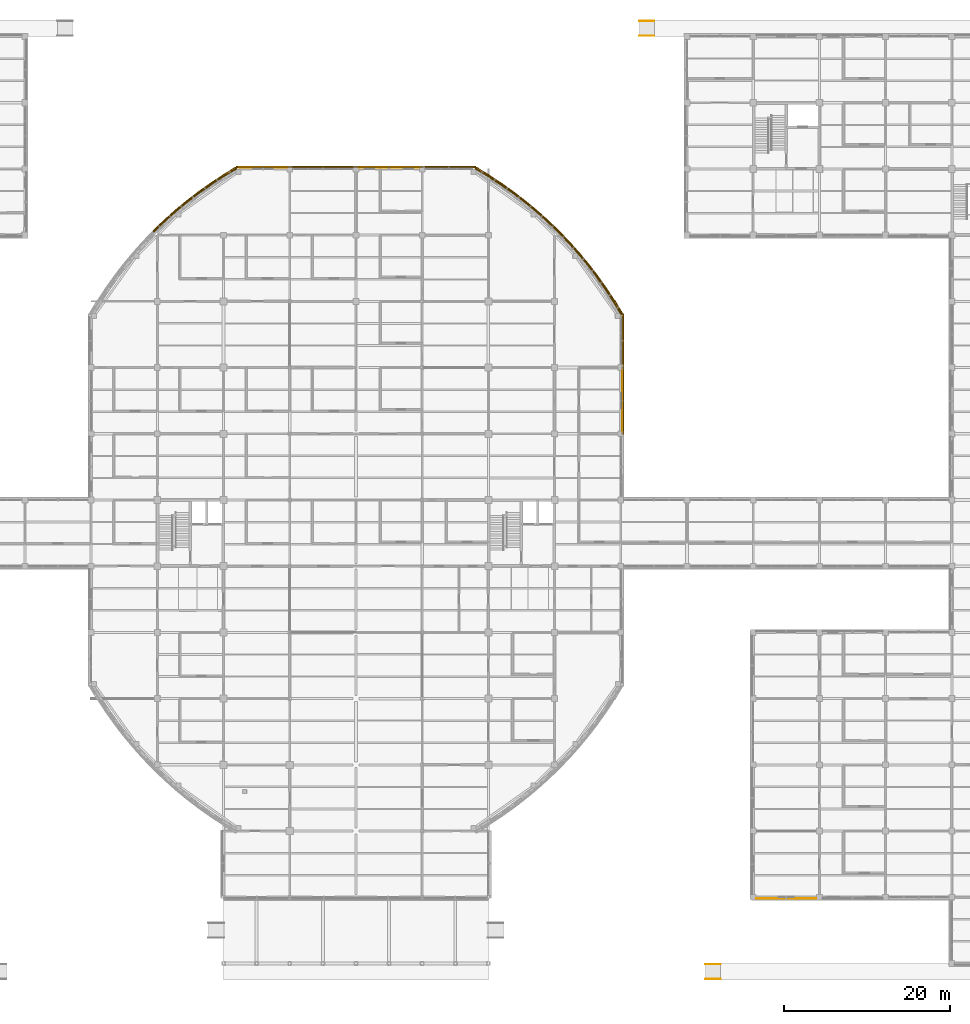
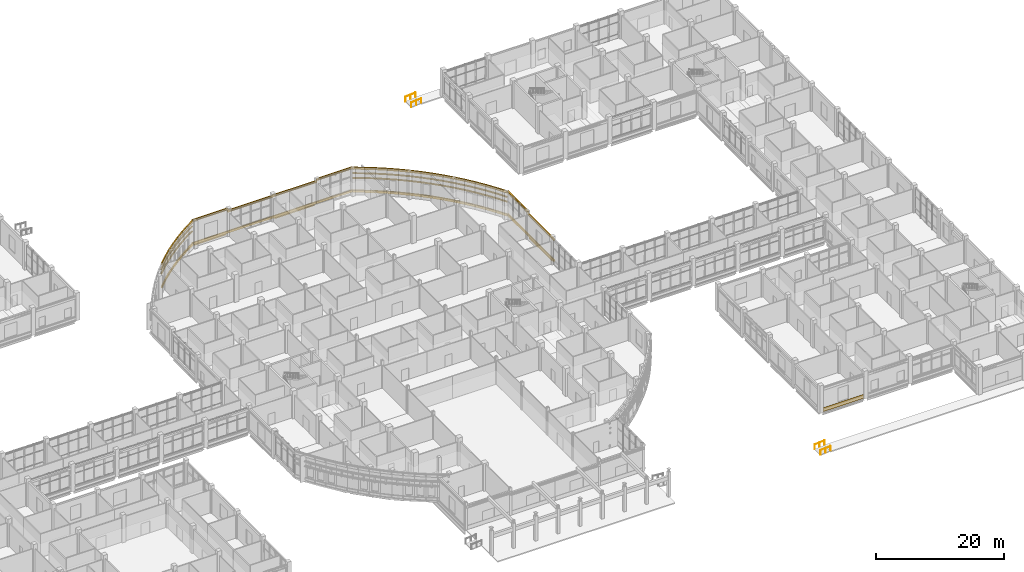
# One storey, part 101 of 105: 58 coverings, 48 shading devices, 4 railings.
"""IFC4 building model written with IfcOpenShell, lengths in metres."""

from ifc_helpers import new_model, si_unit, derived_unit, direction, frame, origin, origin_2d, place, context, subcontext, project, spatial, rectangle, circle, extrude, material, layer, layer_set, material_profile, profile_set, type_object, element, save


model = new_model("IFC4")

# Units and contexts
model_context = context("Model", 3, precision=1e-05, world=origin(), true_north=direction((0.0, 1.0)))
body_context = subcontext(model_context, "Body", "Model", "MODEL_VIEW")
ifc_project = project(units=[si_unit("LENGTHUNIT", "METRE"), si_unit("AREAUNIT", "SQUARE_METRE"), si_unit("VOLUMEUNIT", "CUBIC_METRE"), si_unit("PLANEANGLEUNIT", "RADIAN"), si_unit("MASSUNIT", "GRAM", prefix="KILO"), derived_unit("THERMALTRANSMITTANCEUNIT", [(si_unit("MASSUNIT", "GRAM", prefix="KILO"), 1), (si_unit("TIMEUNIT", "SECOND"), -3), (si_unit("THERMODYNAMICTEMPERATUREUNIT", "KELVIN"), -1)])], contexts=[model_context])

# Site, building, storey
site_placement = place(None, origin())
site = spatial("IfcSite", under=ifc_project, at=site_placement, CompositionType="ELEMENT")
building_placement = place(site_placement, origin())
building = spatial("IfcBuilding", under=site, at=building_placement, Name="Veyamyaing Civic Hall", CompositionType="ELEMENT")
storey_placement = place(building_placement, origin())
storey = spatial("IfcBuildingStorey", under=building, at=storey_placement, Name="L00", CompositionType="ELEMENT", Elevation=0.0)

# Coverings
ifc_material_1 = material(Name="Buff sandstone ashlar cladding", Category="masonry")
ifc_layer_1 = layer(ifc_material_1, 0.050048828125, Name="Buff sandstone ashlar cladding")
ifc_layer_set_1 = layer_set([ifc_layer_1], Name="Buff sandstone ashlar cladding")
covering_type_1 = type_object("IfcCoveringType", Name="CL-01", PredefinedType="CLADDING", material=ifc_layer_set_1)
covering_placement = place(storey_placement, frame((76.759521484375, 96.173583984375, 0.044921875), z_axis=(0.0, 0.0, 1.0), x_axis=(1.0, 0.0, 0.0)))
element("IfcCovering", 1, at=covering_placement, inside=storey, type_object=covering_type_1, Name="Facade spandrel cladding CL-01 L00 N 10.12", PredefinedType="CLADDING", context=body_context, shape_type="SweptSolid", body=[
    extrude(rectangle(XDim=5.730712890625, YDim=0.050048828125, at=origin_2d()), origin(), (0.0, 0.0, 1.0), 0.75),
])
for number, where, z_axis, x_axis, name in (
    (2, (92.0, 96.173583984375, 0.044921875), (0.0, 0.0, 1.0), (1.0, 0.0, 0.0), "Facade spandrel cladding CL-01 L00 N 12.12"),
    (3, (120.173583984375, 68.0, 0.044921875), (0.0, 0.0, 1.0), (0.0, 1.0, 0.0), "Facade spandrel cladding CL-01 L00 E 15.9"),
    (4, (140.0, 7.843994140625, 0.044921875), (0.0, 0.0, 1.0), (1.0, 0.0, 0.0), "Facade spandrel cladding CL-01 L00 S 18.2"),
):
    element("IfcCovering", number, at=place(storey_placement, frame(where, z_axis=z_axis, x_axis=x_axis)), inside=storey, type_object=covering_type_1, Name=name, PredefinedType="CLADDING", context=body_context, shape_type="SweptSolid", body=[
        extrude(rectangle(XDim=7.25, YDim=0.050048828125, at=origin_2d()), origin(), (0.0, 0.0, 1.0), 0.75),
    ])
ifc_material_2 = material(Name="White powder-coated aluminium 6063-T6", Category="aluminium")
ifc_layer_2 = layer(ifc_material_2, 0.2099609375, Name="White powder-coated aluminium 6063-T6")
ifc_layer_set_2 = layer_set([ifc_layer_2], Name="White powder-coated aluminium 6063-T6")
covering_type_2 = type_object("IfcCoveringType", Name="CL-03", PredefinedType="CLADDING", material=ifc_layer_set_2)
for number, where, z_axis, x_axis, name in (
    (5, (119.605224609375, 79.24072265625, 0.27001953125), (0.0, 0.0, 1.0), (-0.516106513571, 0.856524411006, 0.0), "Continuous white corner ribbon CL-03 L00 NE.1.1"),
    (6, (119.605224609375, 79.24072265625, 4.64501953125), (0.0, 0.0, 1.0), (-0.516106513571, 0.856524411006, 0.0), "Continuous white corner ribbon CL-03 L00 NE.1.2"),
    (7, (118.648681640625, 80.76318359375, 0.27001953125), (0.0, 0.0, 1.0), (-0.547771714075, 0.836627843942, 0.0), "Continuous white corner ribbon CL-03 L00 NE.2.1"),
    (8, (118.648681640625, 80.76318359375, 4.64501953125), (0.0, 0.0, 1.0), (-0.547771714075, 0.836627843942, 0.0), "Continuous white corner ribbon CL-03 L00 NE.2.2"),
    (9, (117.635986328125, 82.248291015625, 0.27001953125), (0.0, 0.0, 1.0), (-0.578671161892, 0.815560964241, 0.0), "Continuous white corner ribbon CL-03 L00 NE.3.1"),
    (10, (117.635986328125, 82.248291015625, 4.64501953125), (0.0, 0.0, 1.0), (-0.578671161892, 0.815560964241, 0.0), "Continuous white corner ribbon CL-03 L00 NE.3.2"),
    (11, (116.568603515625, 83.69482421875, 0.27001953125), (0.0, 0.0, 1.0), (-0.608761490723, 0.793353292936, 0.0), "Continuous white corner ribbon CL-03 L00 NE.4.1"),
    (12, (116.568603515625, 83.69482421875, 4.64501953125), (0.0, 0.0, 1.0), (-0.608761490723, 0.793353292936, 0.0), "Continuous white corner ribbon CL-03 L00 NE.4.2"),
    (13, (115.44775390625, 85.1005859375, 0.27001953125), (0.0, 0.0, 1.0), (-0.638000405445, 0.770036026853, 0.0), "Continuous white corner ribbon CL-03 L00 NE.5.1"),
    (14, (115.44775390625, 85.1005859375, 4.64501953125), (0.0, 0.0, 1.0), (-0.638000405445, 0.770036026853, 0.0), "Continuous white corner ribbon CL-03 L00 NE.5.2"),
    (15, (114.27490234375, 86.463134765625, 0.27001953125), (0.0, 0.0, 1.0), (-0.666346529453, 0.745642208225, 0.0), "Continuous white corner ribbon CL-03 L00 NE.6.1"),
    (16, (114.27490234375, 86.463134765625, 4.64501953125), (0.0, 0.0, 1.0), (-0.666346529453, 0.745642208225, 0.0), "Continuous white corner ribbon CL-03 L00 NE.6.2"),
    (17, (113.05224609375, 87.781005859375, 0.27001953125), (0.0, 0.0, 1.0), (-0.693760978012, 0.720205321688, 0.0), "Continuous white corner ribbon CL-03 L00 NE.7.1"),
    (18, (113.05224609375, 87.781005859375, 4.64501953125), (0.0, 0.0, 1.0), (-0.693760978012, 0.720205321688, 0.0), "Continuous white corner ribbon CL-03 L00 NE.7.2"),
    (19, (111.781005859375, 89.05224609375, 0.27001953125), (0.0, 0.0, 1.0), (-0.720205321688, 0.693760978012, 0.0), "Continuous white corner ribbon CL-03 L00 NE.8.1"),
    (20, (111.781005859375, 89.05224609375, 4.64501953125), (0.0, 0.0, 1.0), (-0.720205321688, 0.693760978012, 0.0), "Continuous white corner ribbon CL-03 L00 NE.8.2"),
    (21, (110.463134765625, 90.27490234375, 0.27001953125), (0.0, 0.0, 1.0), (-0.745642208225, 0.666346529453, 0.0), "Continuous white corner ribbon CL-03 L00 NE.9.1"),
    (22, (110.463134765625, 90.27490234375, 4.64501953125), (0.0, 0.0, 1.0), (-0.745642208225, 0.666346529453, 0.0), "Continuous white corner ribbon CL-03 L00 NE.9.2"),
    (23, (109.1005859375, 91.44775390625, 0.27001953125), (0.0, 0.0, 1.0), (-0.770036026853, 0.638000405445, 0.0), "Continuous white corner ribbon CL-03 L00 NE.10.1"),
    (24, (109.1005859375, 91.44775390625, 4.64501953125), (0.0, 0.0, 1.0), (-0.770036026853, 0.638000405445, 0.0), "Continuous white corner ribbon CL-03 L00 NE.10.2"),
    (25, (107.69482421875, 92.568603515625, 0.27001953125), (0.0, 0.0, 1.0), (-0.793353292936, 0.608761490723, 0.0), "Continuous white corner ribbon CL-03 L00 NE.11.1"),
    (26, (107.69482421875, 92.568603515625, 4.64501953125), (0.0, 0.0, 1.0), (-0.793353292936, 0.608761490723, 0.0), "Continuous white corner ribbon CL-03 L00 NE.11.2"),
    (27, (106.248291015625, 93.635986328125, 0.27001953125), (0.0, 0.0, 1.0), (-0.815560964241, 0.578671161892, 0.0), "Continuous white corner ribbon CL-03 L00 NE.12.1"),
    (28, (106.248291015625, 93.635986328125, 4.64501953125), (0.0, 0.0, 1.0), (-0.815560964241, 0.578671161892, 0.0), "Continuous white corner ribbon CL-03 L00 NE.12.2"),
    (29, (104.76318359375, 94.648681640625, 0.27001953125), (0.0, 0.0, 1.0), (-0.836627843942, 0.547771714075, 0.0), "Continuous white corner ribbon CL-03 L00 NE.13.1"),
    (30, (104.76318359375, 94.648681640625, 4.64501953125), (0.0, 0.0, 1.0), (-0.836627843942, 0.547771714075, 0.0), "Continuous white corner ribbon CL-03 L00 NE.13.2"),
    (31, (103.24072265625, 95.605224609375, 0.27001953125), (0.0, 0.0, 1.0), (-0.856524411006, 0.516106513571, 0.0), "Continuous white corner ribbon CL-03 L00 NE.14.1"),
    (32, (103.24072265625, 95.605224609375, 4.64501953125), (0.0, 0.0, 1.0), (-0.856524411006, 0.516106513571, 0.0), "Continuous white corner ribbon CL-03 L00 NE.14.2"),
    (33, (72.75927734375, 95.605224609375, 0.27001953125), (0.0, 0.0, 1.0), (-0.856524411006, -0.516106513571, 0.0), "Continuous white corner ribbon CL-03 L00 NW.1.1"),
    (34, (72.75927734375, 95.605224609375, 4.64501953125), (0.0, 0.0, 1.0), (-0.856524411006, -0.516106513571, 0.0), "Continuous white corner ribbon CL-03 L00 NW.1.2"),
    (35, (71.23681640625, 94.648681640625, 0.27001953125), (0.0, 0.0, 1.0), (-0.836627843942, -0.547771714075, 0.0), "Continuous white corner ribbon CL-03 L00 NW.2.1"),
    (36, (71.23681640625, 94.648681640625, 4.64501953125), (0.0, 0.0, 1.0), (-0.836627843942, -0.547771714075, 0.0), "Continuous white corner ribbon CL-03 L00 NW.2.2"),
    (37, (69.751708984375, 93.635986328125, 0.27001953125), (0.0, 0.0, 1.0), (-0.815560964241, -0.578671161892, 0.0), "Continuous white corner ribbon CL-03 L00 NW.3.1"),
    (38, (69.751708984375, 93.635986328125, 4.64501953125), (0.0, 0.0, 1.0), (-0.815560964241, -0.578671161892, 0.0), "Continuous white corner ribbon CL-03 L00 NW.3.2"),
    (39, (68.30517578125, 92.568603515625, 0.27001953125), (0.0, 0.0, 1.0), (-0.793353292936, -0.608761490723, 0.0), "Continuous white corner ribbon CL-03 L00 NW.4.1"),
    (40, (68.30517578125, 92.568603515625, 4.64501953125), (0.0, 0.0, 1.0), (-0.793353292936, -0.608761490723, 0.0), "Continuous white corner ribbon CL-03 L00 NW.4.2"),
    (41, (66.8994140625, 91.44775390625, 0.27001953125), (0.0, 0.0, 1.0), (-0.770036026853, -0.638000405445, 0.0), "Continuous white corner ribbon CL-03 L00 NW.5.1"),
    (42, (66.8994140625, 91.44775390625, 4.64501953125), (0.0, 0.0, 1.0), (-0.770036026853, -0.638000405445, 0.0), "Continuous white corner ribbon CL-03 L00 NW.5.2"),
    (43, (65.536865234375, 90.27490234375, 0.27001953125), (0.0, 0.0, 1.0), (-0.745642208225, -0.666346529453, 0.0), "Continuous white corner ribbon CL-03 L00 NW.6.1"),
    (44, (65.536865234375, 90.27490234375, 4.64501953125), (0.0, 0.0, 1.0), (-0.745642208225, -0.666346529453, 0.0), "Continuous white corner ribbon CL-03 L00 NW.6.2"),
    (45, (64.218994140625, 89.05224609375, 0.27001953125), (0.0, 0.0, 1.0), (-0.720205321688, -0.693760978012, 0.0), "Continuous white corner ribbon CL-03 L00 NW.7.1"),
    (46, (64.218994140625, 89.05224609375, 4.64501953125), (0.0, 0.0, 1.0), (-0.720205321688, -0.693760978012, 0.0), "Continuous white corner ribbon CL-03 L00 NW.7.2"),
):
    element("IfcCovering", number, at=place(storey_placement, frame(where, z_axis=z_axis, x_axis=x_axis)), inside=storey, type_object=covering_type_2, Name=name, PredefinedType="CLADDING", context=body_context, shape_type="SweptSolid", body=[
        extrude(rectangle(XDim=1.93505859375, YDim=0.2099609375, at=origin_2d()), origin(), (0.0, 0.0, 1.0), 0.419921875),
    ])
for number, where, z_axis, x_axis, name in (
    (47, (76.78466796875, 96.239990234375, 4.655029296875), (0.0, 0.0, 1.0), (1.0, 0.0, 0.0), "Continuous white head fascia ribbon CL-03 L00 N 10.12"),
    (48, (76.78466796875, 96.239990234375, 0.280029296875), (0.0, 0.0, 1.0), (1.0, 0.0, 0.0), "Continuous white sill fascia ribbon CL-03 L00 N 10.12"),
):
    element("IfcCovering", number, at=place(storey_placement, frame(where, z_axis=z_axis, x_axis=x_axis)), inside=storey, type_object=covering_type_2, Name=name, PredefinedType="CLADDING", context=body_context, shape_type="SweptSolid", body=[
        extrude(rectangle(XDim=6.55078125, YDim=0.2099609375, at=origin_2d()), origin(), (0.0, 0.0, 1.0), 0.39990234375),
    ])
for number, where, z_axis, x_axis, name in (
    (49, (84.0, 96.239990234375, 4.234130859375), (0.0, 0.0, 1.0), (1.0, 0.0, 0.0), "Continuous white head fascia ribbon CL-03 L00 N 11.12"),
    (50, (84.0, 96.239990234375, 0.280029296875), (0.0, 0.0, 1.0), (1.0, 0.0, 0.0), "Continuous white sill fascia ribbon CL-03 L00 N 11.12"),
    (51, (92.0, 96.239990234375, 4.297119140625), (0.0, 0.0, 1.0), (1.0, 0.0, 0.0), "Continuous white head fascia ribbon CL-03 L00 N 12.12"),
    (52, (92.0, 96.239990234375, 0.280029296875), (0.0, 0.0, 1.0), (1.0, 0.0, 0.0), "Continuous white sill fascia ribbon CL-03 L00 N 12.12"),
):
    element("IfcCovering", number, at=place(storey_placement, frame(where, z_axis=z_axis, x_axis=x_axis)), inside=storey, type_object=covering_type_2, Name=name, PredefinedType="CLADDING", context=body_context, shape_type="SweptSolid", body=[
        extrude(rectangle(XDim=8.1201171875, YDim=0.2099609375, at=origin_2d()), origin(), (0.0, 0.0, 1.0), 0.39990234375),
    ])
for number, where, z_axis, x_axis, name in (
    (53, (99.21533203125, 96.239990234375, 4.655029296875), (0.0, 0.0, 1.0), (1.0, 0.0, 0.0), "Continuous white head fascia ribbon CL-03 L00 N 13.12"),
    (54, (99.21533203125, 96.239990234375, 0.280029296875), (0.0, 0.0, 1.0), (1.0, 0.0, 0.0), "Continuous white sill fascia ribbon CL-03 L00 N 13.12"),
):
    element("IfcCovering", number, at=place(storey_placement, frame(where, z_axis=z_axis, x_axis=x_axis)), inside=storey, type_object=covering_type_2, Name=name, PredefinedType="CLADDING", context=body_context, shape_type="SweptSolid", body=[
        extrude(rectangle(XDim=6.55078125, YDim=0.2099609375, at=origin_2d()), origin(), (0.0, 0.0, 1.0), 0.39990234375),
    ])
for number, where, z_axis, x_axis, name in (
    (55, (120.239990234375, 68.0, 4.297119140625), (0.0, 0.0, 1.0), (0.0, 1.0, 0.0), "Continuous white head fascia ribbon CL-03 L00 E 15.9"),
    (56, (120.239990234375, 68.0, 0.280029296875), (0.0, 0.0, 1.0), (0.0, 1.0, 0.0), "Continuous white sill fascia ribbon CL-03 L00 E 15.9"),
):
    element("IfcCovering", number, at=place(storey_placement, frame(where, z_axis=z_axis, x_axis=x_axis)), inside=storey, type_object=covering_type_2, Name=name, PredefinedType="CLADDING", context=body_context, shape_type="SweptSolid", body=[
        extrude(rectangle(XDim=8.1201171875, YDim=0.2099609375, at=origin_2d()), origin(), (0.0, 0.0, 1.0), 0.39990234375),
    ])
for number, where, z_axis, x_axis, name in (
    (57, (120.239990234375, 75.21533203125, 4.655029296875), (0.0, 0.0, 1.0), (0.0, 1.0, 0.0), "Continuous white head fascia ribbon CL-03 L00 E 15.10"),
    (58, (120.239990234375, 75.21533203125, 0.280029296875), (0.0, 0.0, 1.0), (0.0, 1.0, 0.0), "Continuous white sill fascia ribbon CL-03 L00 E 15.10"),
):
    element("IfcCovering", number, at=place(storey_placement, frame(where, z_axis=z_axis, x_axis=x_axis)), inside=storey, type_object=covering_type_2, Name=name, PredefinedType="CLADDING", context=body_context, shape_type="SweptSolid", body=[
        extrude(rectangle(XDim=6.55078125, YDim=0.2099609375, at=origin_2d()), origin(), (0.0, 0.0, 1.0), 0.39990234375),
    ])

# Railings
ifc_material_3 = material(Name="Steel S355J2", Category="steel")
railing_type = type_object("IfcRailingType", Name="RL-02", PredefinedType="HANDRAIL", material=ifc_material_3)
for number, where, name in (
    (59, (130.25, -0.10009765625, -0.14990234375), "Accessible ramp handrail RMP-SE.1"),
    (60, (130.25, -1.89990234375, -0.14990234375), "Accessible ramp handrail RMP-SE.2"),
    (61, (122.25, 113.89990234375, -0.14990234375), "Accessible ramp handrail RMP-NE.1"),
    (62, (122.25, 112.10009765625, -0.14990234375), "Accessible ramp handrail RMP-NE.2"),
):
    element("IfcRailing", number, at=place(storey_placement, frame(where)), inside=storey, type_object=railing_type, Name=name, PredefinedType="HANDRAIL", context=body_context, shape_type="SweptSolid", body=[
        extrude(circle(Radius=0.02392578125, at=origin_2d()), frame((0.0, 0.0, 0.89599609375), z_axis=(0.996550417439, 0.0, 0.082989550564), x_axis=(0.0, 1.0, 0.0)), (0.0, 0.0, 1.0), 1.806396484375),
        extrude(circle(Radius=0.02099609375, at=origin_2d()), origin(), (0.0, 0.0, 1.0), 0.871826171875),
        extrude(circle(Radius=0.02099609375, at=origin_2d()), frame((0.89990234375, 0.0, 0.074951171875)), (0.0, 0.0, 1.0), 0.871826171875),
        extrude(circle(Radius=0.02099609375, at=origin_2d()), frame((1.800048828125, 0.0, 0.14990234375)), (0.0, 0.0, 1.0), 0.871826171875),
    ])

# Shading devices
ifc_material_profile = material_profile(ifc_material_2, circle(Radius=0.110107421875, at=origin_2d()), Name="SHADE-TUBE-220")
ifc_profile_set = profile_set([ifc_material_profile], Name="White powder-coated aluminium 6063-T6")
shading_device_type = type_object("IfcShadingDeviceType", Name="SH-01", PredefinedType="USERDEFINED", material=ifc_profile_set)
for number, where, z_axis, x_axis, name in (
    (63, (120.136962890625, 78.513427734375, 2.949951171875), (-0.51607516088, 0.856543302071, 0.0), (-0.856543302071, -0.51607516088, 0.0), "White corner sunshade ribbon SH-01 L00 NE.1.1"),
    (64, (120.136962890625, 78.513427734375, 3.85009765625), (-0.51607516088, 0.856543302071, 0.0), (-0.856543302071, -0.51607516088, 0.0), "White corner sunshade ribbon SH-01 L00 NE.1.2"),
):
    element("IfcShadingDevice", number, at=place(storey_placement, frame(where, z_axis=z_axis, x_axis=x_axis)), inside=storey, type_object=shading_device_type, Name=name, ObjectType="SUNSHADE", PredefinedType="USERDEFINED", context=body_context, shape_type="SweptSolid", body=[
        extrude(circle(Radius=0.110107421875, at=origin_2d()), origin(), (0.0, 0.0, 1.0), 1.794921875),
    ])
for number, where, z_axis, x_axis, name in (
    (65, (119.20751953125, 80.055908203125, 2.949951171875), (-0.547776876079, 0.836624464161, 0.0), (-0.836624464161, -0.547776876079, 0.0), "White corner sunshade ribbon SH-01 L00 NE.2.1"),
    (66, (119.20751953125, 80.055908203125, 3.85009765625), (-0.547776876079, 0.836624464161, 0.0), (-0.836624464161, -0.547776876079, 0.0), "White corner sunshade ribbon SH-01 L00 NE.2.2"),
):
    element("IfcShadingDevice", number, at=place(storey_placement, frame(where, z_axis=z_axis, x_axis=x_axis)), inside=storey, type_object=shading_device_type, Name=name, ObjectType="SUNSHADE", PredefinedType="USERDEFINED", context=body_context, shape_type="SweptSolid", body=[
        extrude(circle(Radius=0.110107421875, at=origin_2d()), origin(), (0.0, 0.0, 1.0), 1.795166015625),
    ])
for number, where, z_axis, x_axis, name in (
    (67, (118.220703125, 81.562744140625, 2.949951171875), (-0.578726580586, 0.815521639764, 0.0), (-0.815521639764, -0.578726580586, 0.0), "White corner sunshade ribbon SH-01 L00 NE.3.1"),
    (68, (118.220703125, 81.562744140625, 3.85009765625), (-0.578726580586, 0.815521639764, 0.0), (-0.815521639764, -0.578726580586, 0.0), "White corner sunshade ribbon SH-01 L00 NE.3.2"),
):
    element("IfcShadingDevice", number, at=place(storey_placement, frame(where, z_axis=z_axis, x_axis=x_axis)), inside=storey, type_object=shading_device_type, Name=name, ObjectType="SUNSHADE", PredefinedType="USERDEFINED", context=body_context, shape_type="SweptSolid", body=[
        extrude(circle(Radius=0.110107421875, at=origin_2d()), origin(), (0.0, 0.0, 1.0), 1.794921875),
    ])
for number, where, z_axis, x_axis, name in (
    (69, (117.178466796875, 83.031494140625, 2.949951171875), (-0.608711298549, 0.79339180423, 0.0), (-0.79339180423, -0.608711298549, 0.0), "White corner sunshade ribbon SH-01 L00 NE.4.1"),
    (70, (117.178466796875, 83.031494140625, 3.85009765625), (-0.608711298549, 0.79339180423, 0.0), (-0.79339180423, -0.608711298549, 0.0), "White corner sunshade ribbon SH-01 L00 NE.4.2"),
    (71, (116.081787109375, 84.46044921875, 2.949951171875), (-0.637987912111, 0.770046377824, 0.0), (-0.770046377824, -0.637987912111, 0.0), "White corner sunshade ribbon SH-01 L00 NE.5.1"),
    (72, (116.081787109375, 84.46044921875, 3.85009765625), (-0.637987912111, 0.770046377824, 0.0), (-0.770046377824, -0.637987912111, 0.0), "White corner sunshade ribbon SH-01 L00 NE.5.2"),
    (73, (114.9326171875, 85.84716796875, 2.949951171875), (-0.666277888361, 0.745703543965, 0.0), (-0.745703543965, -0.666277888361, 0.0), "White corner sunshade ribbon SH-01 L00 NE.6.1"),
    (74, (114.9326171875, 85.84716796875, 3.85009765625), (-0.666277888361, 0.745703543965, 0.0), (-0.745703543965, -0.666277888361, 0.0), "White corner sunshade ribbon SH-01 L00 NE.6.2"),
):
    element("IfcShadingDevice", number, at=place(storey_placement, frame(where, z_axis=z_axis, x_axis=x_axis)), inside=storey, type_object=shading_device_type, Name=name, ObjectType="SUNSHADE", PredefinedType="USERDEFINED", context=body_context, shape_type="SweptSolid", body=[
        extrude(circle(Radius=0.110107421875, at=origin_2d()), origin(), (0.0, 0.0, 1.0), 1.795166015625),
    ])
for number, where, z_axis, x_axis, name in (
    (75, (113.732421875, 87.190185546875, 2.949951171875), (-0.693790654785, 0.720176733402, 0.0), (-0.720176733402, -0.693790654785, 0.0), "White corner sunshade ribbon SH-01 L00 NE.7.1"),
    (76, (113.732421875, 87.190185546875, 3.85009765625), (-0.693790654785, 0.720176733402, 0.0), (-0.720176733402, -0.693790654785, 0.0), "White corner sunshade ribbon SH-01 L00 NE.7.2"),
    (77, (112.48291015625, 88.487060546875, 2.949951171875), (-0.720176733402, 0.693790654785, 0.0), (-0.693790654785, -0.720176733402, 0.0), "White corner sunshade ribbon SH-01 L00 NE.8.1"),
    (78, (112.48291015625, 88.487060546875, 3.85009765625), (-0.720176733402, 0.693790654785, 0.0), (-0.693790654785, -0.720176733402, 0.0), "White corner sunshade ribbon SH-01 L00 NE.8.2"),
):
    element("IfcShadingDevice", number, at=place(storey_placement, frame(where, z_axis=z_axis, x_axis=x_axis)), inside=storey, type_object=shading_device_type, Name=name, ObjectType="SUNSHADE", PredefinedType="USERDEFINED", context=body_context, shape_type="SweptSolid", body=[
        extrude(circle(Radius=0.110107421875, at=origin_2d()), origin(), (0.0, 0.0, 1.0), 1.794921875),
    ])
for number, where, z_axis, x_axis, name in (
    (79, (111.185791015625, 89.736572265625, 2.949951171875), (-0.745703543965, 0.666277888361, 0.0), (-0.666277888361, -0.745703543965, 0.0), "White corner sunshade ribbon SH-01 L00 NE.9.1"),
    (80, (111.185791015625, 89.736572265625, 3.85009765625), (-0.745703543965, 0.666277888361, 0.0), (-0.666277888361, -0.745703543965, 0.0), "White corner sunshade ribbon SH-01 L00 NE.9.2"),
    (81, (109.8427734375, 90.9365234375, 2.949951171875), (-0.770046377824, 0.637987912111, 0.0), (-0.637987912111, -0.770046377824, 0.0), "White corner sunshade ribbon SH-01 L00 NE.10.1"),
    (82, (109.8427734375, 90.9365234375, 3.85009765625), (-0.770046377824, 0.637987912111, 0.0), (-0.637987912111, -0.770046377824, 0.0), "White corner sunshade ribbon SH-01 L00 NE.10.2"),
    (83, (108.455810546875, 92.085693359375, 2.949951171875), (-0.79339180423, 0.608711298549, 0.0), (-0.608711298549, -0.79339180423, 0.0), "White corner sunshade ribbon SH-01 L00 NE.11.1"),
    (84, (108.455810546875, 92.085693359375, 3.85009765625), (-0.79339180423, 0.608711298549, 0.0), (-0.608711298549, -0.79339180423, 0.0), "White corner sunshade ribbon SH-01 L00 NE.11.2"),
):
    element("IfcShadingDevice", number, at=place(storey_placement, frame(where, z_axis=z_axis, x_axis=x_axis)), inside=storey, type_object=shading_device_type, Name=name, ObjectType="SUNSHADE", PredefinedType="USERDEFINED", context=body_context, shape_type="SweptSolid", body=[
        extrude(circle(Radius=0.110107421875, at=origin_2d()), origin(), (0.0, 0.0, 1.0), 1.795166015625),
    ])
for number, where, z_axis, x_axis, name in (
    (85, (107.026611328125, 93.181884765625, 2.949951171875), (-0.815521639764, 0.578726580586, 0.0), (-0.578726580586, -0.815521639764, 0.0), "White corner sunshade ribbon SH-01 L00 NE.12.1"),
    (86, (107.026611328125, 93.181884765625, 3.85009765625), (-0.815521639764, 0.578726580586, 0.0), (-0.578726580586, -0.815521639764, 0.0), "White corner sunshade ribbon SH-01 L00 NE.12.2"),
):
    element("IfcShadingDevice", number, at=place(storey_placement, frame(where, z_axis=z_axis, x_axis=x_axis)), inside=storey, type_object=shading_device_type, Name=name, ObjectType="SUNSHADE", PredefinedType="USERDEFINED", context=body_context, shape_type="SweptSolid", body=[
        extrude(circle(Radius=0.110107421875, at=origin_2d()), origin(), (0.0, 0.0, 1.0), 1.794921875),
    ])
for number, where, z_axis, x_axis, name in (
    (87, (105.557861328125, 94.22412109375, 2.949951171875), (-0.836624464161, 0.547776876079, 0.0), (-0.547776876079, -0.836624464161, 0.0), "White corner sunshade ribbon SH-01 L00 NE.13.1"),
    (88, (105.557861328125, 94.22412109375, 3.85009765625), (-0.836624464161, 0.547776876079, 0.0), (-0.547776876079, -0.836624464161, 0.0), "White corner sunshade ribbon SH-01 L00 NE.13.2"),
):
    element("IfcShadingDevice", number, at=place(storey_placement, frame(where, z_axis=z_axis, x_axis=x_axis)), inside=storey, type_object=shading_device_type, Name=name, ObjectType="SUNSHADE", PredefinedType="USERDEFINED", context=body_context, shape_type="SweptSolid", body=[
        extrude(circle(Radius=0.110107421875, at=origin_2d()), origin(), (0.0, 0.0, 1.0), 1.795166015625),
    ])
for number, where, z_axis, x_axis, name in (
    (89, (104.05078125, 95.210693359375, 2.949951171875), (-0.856543302071, 0.51607516088, 0.0), (-0.51607516088, -0.856543302071, 0.0), "White corner sunshade ribbon SH-01 L00 NE.14.1"),
    (90, (104.05078125, 95.210693359375, 3.85009765625), (-0.856543302071, 0.51607516088, 0.0), (-0.51607516088, -0.856543302071, 0.0), "White corner sunshade ribbon SH-01 L00 NE.14.2"),
    (91, (73.486572265625, 96.136962890625, 2.949951171875), (-0.856543302071, -0.51607516088, 0.0), (0.51607516088, -0.856543302071, 0.0), "White corner sunshade ribbon SH-01 L00 NW.1.1"),
    (92, (73.486572265625, 96.136962890625, 3.85009765625), (-0.856543302071, -0.51607516088, 0.0), (0.51607516088, -0.856543302071, 0.0), "White corner sunshade ribbon SH-01 L00 NW.1.2"),
):
    element("IfcShadingDevice", number, at=place(storey_placement, frame(where, z_axis=z_axis, x_axis=x_axis)), inside=storey, type_object=shading_device_type, Name=name, ObjectType="SUNSHADE", PredefinedType="USERDEFINED", context=body_context, shape_type="SweptSolid", body=[
        extrude(circle(Radius=0.110107421875, at=origin_2d()), origin(), (0.0, 0.0, 1.0), 1.794921875),
    ])
for number, where, z_axis, x_axis, name in (
    (93, (71.944091796875, 95.20751953125, 2.949951171875), (-0.836624464161, -0.547776876079, 0.0), (0.547776876079, -0.836624464161, 0.0), "White corner sunshade ribbon SH-01 L00 NW.2.1"),
    (94, (71.944091796875, 95.20751953125, 3.85009765625), (-0.836624464161, -0.547776876079, 0.0), (0.547776876079, -0.836624464161, 0.0), "White corner sunshade ribbon SH-01 L00 NW.2.2"),
):
    element("IfcShadingDevice", number, at=place(storey_placement, frame(where, z_axis=z_axis, x_axis=x_axis)), inside=storey, type_object=shading_device_type, Name=name, ObjectType="SUNSHADE", PredefinedType="USERDEFINED", context=body_context, shape_type="SweptSolid", body=[
        extrude(circle(Radius=0.110107421875, at=origin_2d()), origin(), (0.0, 0.0, 1.0), 1.795166015625),
    ])
for number, where, z_axis, x_axis, name in (
    (95, (70.437255859375, 94.220703125, 2.949951171875), (-0.815521639764, -0.578726580586, 0.0), (0.578726580586, -0.815521639764, 0.0), "White corner sunshade ribbon SH-01 L00 NW.3.1"),
    (96, (70.437255859375, 94.220703125, 3.85009765625), (-0.815521639764, -0.578726580586, 0.0), (0.578726580586, -0.815521639764, 0.0), "White corner sunshade ribbon SH-01 L00 NW.3.2"),
):
    element("IfcShadingDevice", number, at=place(storey_placement, frame(where, z_axis=z_axis, x_axis=x_axis)), inside=storey, type_object=shading_device_type, Name=name, ObjectType="SUNSHADE", PredefinedType="USERDEFINED", context=body_context, shape_type="SweptSolid", body=[
        extrude(circle(Radius=0.110107421875, at=origin_2d()), origin(), (0.0, 0.0, 1.0), 1.794921875),
    ])
for number, where, z_axis, x_axis, name in (
    (97, (68.968505859375, 93.178466796875, 2.949951171875), (-0.79339180423, -0.608711298549, 0.0), (0.608711298549, -0.79339180423, 0.0), "White corner sunshade ribbon SH-01 L00 NW.4.1"),
    (98, (68.968505859375, 93.178466796875, 3.85009765625), (-0.79339180423, -0.608711298549, 0.0), (0.608711298549, -0.79339180423, 0.0), "White corner sunshade ribbon SH-01 L00 NW.4.2"),
    (99, (67.53955078125, 92.081787109375, 2.949951171875), (-0.770046377824, -0.637987912111, 0.0), (0.637987912111, -0.770046377824, 0.0), "White corner sunshade ribbon SH-01 L00 NW.5.1"),
    (100, (67.53955078125, 92.081787109375, 3.85009765625), (-0.770046377824, -0.637987912111, 0.0), (0.637987912111, -0.770046377824, 0.0), "White corner sunshade ribbon SH-01 L00 NW.5.2"),
    (101, (66.15283203125, 90.9326171875, 2.949951171875), (-0.745703543965, -0.666277888361, 0.0), (0.666277888361, -0.745703543965, 0.0), "White corner sunshade ribbon SH-01 L00 NW.6.1"),
    (102, (66.15283203125, 90.9326171875, 3.85009765625), (-0.745703543965, -0.666277888361, 0.0), (0.666277888361, -0.745703543965, 0.0), "White corner sunshade ribbon SH-01 L00 NW.6.2"),
):
    element("IfcShadingDevice", number, at=place(storey_placement, frame(where, z_axis=z_axis, x_axis=x_axis)), inside=storey, type_object=shading_device_type, Name=name, ObjectType="SUNSHADE", PredefinedType="USERDEFINED", context=body_context, shape_type="SweptSolid", body=[
        extrude(circle(Radius=0.110107421875, at=origin_2d()), origin(), (0.0, 0.0, 1.0), 1.795166015625),
    ])
for number, where, z_axis, x_axis, name in (
    (103, (64.809814453125, 89.732421875, 2.949951171875), (-0.720176733402, -0.693790654785, 0.0), (0.693790654785, -0.720176733402, 0.0), "White corner sunshade ribbon SH-01 L00 NW.7.1"),
    (104, (64.809814453125, 89.732421875, 3.85009765625), (-0.720176733402, -0.693790654785, 0.0), (0.693790654785, -0.720176733402, 0.0), "White corner sunshade ribbon SH-01 L00 NW.7.2"),
):
    element("IfcShadingDevice", number, at=place(storey_placement, frame(where, z_axis=z_axis, x_axis=x_axis)), inside=storey, type_object=shading_device_type, Name=name, ObjectType="SUNSHADE", PredefinedType="USERDEFINED", context=body_context, shape_type="SweptSolid", body=[
        extrude(circle(Radius=0.110107421875, at=origin_2d()), origin(), (0.0, 0.0, 1.0), 1.794921875),
    ])
shading_device_1_placement = place(storey_placement, frame((73.854248046875, 96.239990234375, 4.81494140625), z_axis=(1.0, 0.0, 0.0), x_axis=(0.0, 1.0, 0.0)))
element("IfcShadingDevice", 105, at=shading_device_1_placement, inside=storey, type_object=shading_device_type, Name="Horizontal white sunshade ribbon SH-01 L00 N 10.12", ObjectType="SUNSHADE", PredefinedType="USERDEFINED", context=body_context, shape_type="SweptSolid", body=[
    extrude(circle(Radius=0.110107421875, at=origin_2d()), origin(), (0.0, 0.0, 1.0), 5.810791015625),
])
for number, where, z_axis, x_axis, name in (
    (106, (80.3349609375, 96.239990234375, 4.39404296875), (1.0, 0.0, 0.0), (0.0, 1.0, 0.0), "Horizontal white sunshade ribbon SH-01 L00 N 11.12"),
    (107, (88.3349609375, 96.239990234375, 4.45703125), (1.0, 0.0, 0.0), (0.0, 1.0, 0.0), "Horizontal white sunshade ribbon SH-01 L00 N 12.12"),
):
    element("IfcShadingDevice", number, at=place(storey_placement, frame(where, z_axis=z_axis, x_axis=x_axis)), inside=storey, type_object=shading_device_type, Name=name, ObjectType="SUNSHADE", PredefinedType="USERDEFINED", context=body_context, shape_type="SweptSolid", body=[
        extrude(circle(Radius=0.110107421875, at=origin_2d()), origin(), (0.0, 0.0, 1.0), 7.330078125),
    ])
shading_device_2_placement = place(storey_placement, frame((96.3349609375, 96.239990234375, 4.81494140625), z_axis=(1.0, 0.0, 0.0), x_axis=(0.0, 1.0, 0.0)))
element("IfcShadingDevice", 108, at=shading_device_2_placement, inside=storey, type_object=shading_device_type, Name="Horizontal white sunshade ribbon SH-01 L00 N 13.12", ObjectType="SUNSHADE", PredefinedType="USERDEFINED", context=body_context, shape_type="SweptSolid", body=[
    extrude(circle(Radius=0.110107421875, at=origin_2d()), origin(), (0.0, 0.0, 1.0), 5.810791015625),
])
shading_device_3_placement = place(storey_placement, frame((120.239990234375, 64.3349609375, 4.45703125), z_axis=(0.0, 1.0, 0.0), x_axis=(-1.0, 0.0, 0.0)))
element("IfcShadingDevice", 109, at=shading_device_3_placement, inside=storey, type_object=shading_device_type, Name="Horizontal white sunshade ribbon SH-01 L00 E 15.9", ObjectType="SUNSHADE", PredefinedType="USERDEFINED", context=body_context, shape_type="SweptSolid", body=[
    extrude(circle(Radius=0.110107421875, at=origin_2d()), origin(), (0.0, 0.0, 1.0), 7.330078125),
])
shading_device_4_placement = place(storey_placement, frame((120.239990234375, 72.3349609375, 4.81494140625), z_axis=(0.0, 1.0, 0.0), x_axis=(-1.0, 0.0, 0.0)))
element("IfcShadingDevice", 110, at=shading_device_4_placement, inside=storey, type_object=shading_device_type, Name="Horizontal white sunshade ribbon SH-01 L00 E 15.10", ObjectType="SUNSHADE", PredefinedType="USERDEFINED", context=body_context, shape_type="SweptSolid", body=[
    extrude(circle(Radius=0.110107421875, at=origin_2d()), origin(), (0.0, 0.0, 1.0), 5.810791015625),
])

save(model, "model.ifc")
